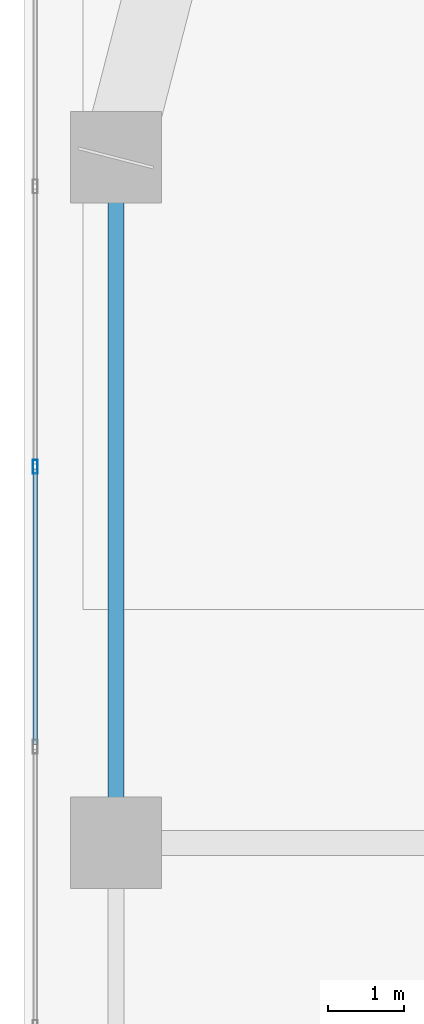
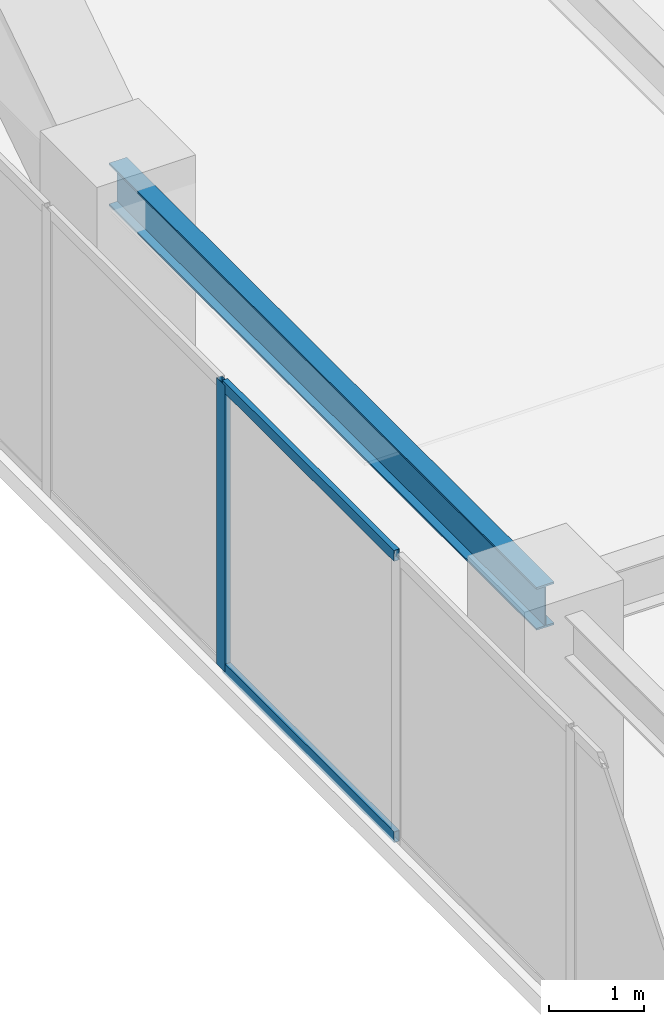
# One storey, part 7 of 30: 3 members, 1 beam, 1 element without a shape of its own.
"""IFC4 building model written with IfcOpenShell, lengths in metres."""

from ifc_helpers import new_model, si_unit, direction, frame, origin, origin_2d, place, context, subcontext, project, spatial, hollow_rectangle, i_section, extrude, material, layer, layer_set, material_profile, profile_set, type_object, element, aggregate, save


model = new_model("IFC4")

# Units and contexts
model_context = context("Model", 3, precision=1e-05, world=origin(), true_north=direction((0.0, 1.0)))
body_context = subcontext(model_context, "Body", "Model", "MODEL_VIEW")
ifc_project = project(units=[si_unit("LENGTHUNIT", "METRE"), si_unit("AREAUNIT", "SQUARE_METRE"), si_unit("VOLUMEUNIT", "CUBIC_METRE"), si_unit("PLANEANGLEUNIT", "RADIAN"), si_unit("MASSUNIT", "GRAM", prefix="KILO")], contexts=[model_context])

# Site, building, storey
site_placement = place(None, origin())
site = spatial("IfcSite", under=ifc_project, at=site_placement, CompositionType="ELEMENT")
building_placement = place(site_placement, origin())
building = spatial("IfcBuilding", under=site, at=building_placement, Name="Kiyonajd Concourse Tower", CompositionType="ELEMENT")
storey_placement = place(building_placement, frame((0.0, 0.0, 166.199951171875)))
storey = spatial("IfcBuildingStorey", under=building, at=storey_placement, Name="L42", CompositionType="ELEMENT", Elevation=166.199951171875)

# Beam
ifc_material_1 = material(Name="Steel ASTM A992 Grade 50", Category="steel")
ifc_material_profile_1 = material_profile(ifc_material_1, i_section(OverallWidth=0.214111328125, OverallDepth=0.549072265625, WebThickness=0.0146484375, FlangeThickness=0.023681640625, at=origin_2d()), Name="W530X138")
ifc_profile_set_1 = profile_set([ifc_material_profile_1], Name="Steel ASTM A992 Grade 50")
beam_type = type_object("IfcBeamType", Name="BM-SPAN-530A", PredefinedType="SPANDREL", material=ifc_profile_set_1)
beam_placement = place(storey_placement, frame((19.199951171875, 53.39990234375, 3.405517578125), z_axis=(0.0, -1.0, 0.0), x_axis=(1.0, 0.0, 0.0)))
element("IfcBeam", 1, at=beam_placement, inside=storey, type_object=beam_type, Name="L42 Perimeter Bundled Tube Spandrel", PredefinedType="SPANDREL", context=body_context, shape_type="SweptSolid", body=[
    extrude(i_section(OverallWidth=0.214111328125, OverallDepth=0.549072265625, WebThickness=0.0146484375, FlangeThickness=0.023681640625, at=origin_2d()), origin(), (0.0, 0.0, 1.0), 9.0),
])

# Curtain wall, members
ifc_material_2 = material(Name="Thermally Broken Anodised Aluminium", Category="aluminium")
ifc_layer = layer(ifc_material_2, 0.179931640625)
ifc_layer_set = layer_set([ifc_layer], Name="Thermally Broken Anodised Aluminium")
curtain_wall_type = type_object("IfcCurtainWallType", Name="CW-SYS-03", PredefinedType="NOTDEFINED", material=ifc_layer_set)
curtain_wall_placement = place(storey_placement, origin())
curtain_wall = element("IfcCurtainWall", 2, at=curtain_wall_placement, inside=storey, type_object=curtain_wall_type, Name="L42 Unitised Curtain Wall CW3", PredefinedType="NOTDEFINED")
ifc_material_profile_2 = material_profile(ifc_material_2, hollow_rectangle(XDim=0.06494140625, YDim=0.179931640625, WallThickness=0.00390625, at=origin_2d()), Name="MULL-65x180")
ifc_profile_set_2 = profile_set([ifc_material_profile_2], Name="Thermally Broken Anodised Aluminium")
member_type_1 = type_object("IfcMemberType", Name="MB-CW-MULL1", PredefinedType="MULLION", material=ifc_profile_set_2)
member_1_placement = place(storey_placement, frame((18.139892578125, 49.337646484375, 0.0), z_axis=(0.0, 0.0, 1.0), x_axis=(-1.0, 0.0, 0.0)))
member_1 = element("IfcMember", 3, at=member_1_placement, type_object=member_type_1, Name="CW3 mullion 5", PredefinedType="MULLION", context=body_context, shape_type="SweptSolid", body=[
    extrude(hollow_rectangle(XDim=0.06494140625, YDim=0.179931640625, WallThickness=0.00390625, at=origin_2d()), origin(), (0.0, 0.0, 1.0), 3.679931640625),
])
ifc_material_profile_3 = material_profile(ifc_material_2, hollow_rectangle(XDim=0.06494140625, YDim=0.139892578125, WallThickness=0.00390625, at=origin_2d()), Name="TRAN-65x140")
ifc_profile_set_3 = profile_set([ifc_material_profile_3], Name="Thermally Broken Anodised Aluminium")
member_type_2 = type_object("IfcMemberType", Name="MB-CW-TRAN1", PredefinedType="USERDEFINED", material=ifc_profile_set_3)
member_2_placement = place(storey_placement, frame((18.139892578125, 45.693359375, 0.032470703125), z_axis=(0.0, 1.0, 0.0), x_axis=(-1.0, 0.0, 0.0)))
member_2 = element("IfcMember", 4, at=member_2_placement, type_object=member_type_2, Name="CW3 transom 4.1", ObjectType="TRANSOM", PredefinedType="USERDEFINED", context=body_context, shape_type="SweptSolid", body=[
    extrude(hollow_rectangle(XDim=0.06494140625, YDim=0.139892578125, WallThickness=0.00390625, at=origin_2d()), origin(), (0.0, 0.0, 1.0), 3.61181640625),
])
member_3_placement = place(storey_placement, frame((18.139892578125, 45.693359375, 3.6474609375), z_axis=(0.0, 1.0, 0.0), x_axis=(-1.0, 0.0, 0.0)))
member_3 = element("IfcMember", 5, at=member_3_placement, type_object=member_type_2, Name="CW3 transom 4.2", ObjectType="TRANSOM", PredefinedType="USERDEFINED", context=body_context, shape_type="SweptSolid", body=[
    extrude(hollow_rectangle(XDim=0.06494140625, YDim=0.139892578125, WallThickness=0.00390625, at=origin_2d()), origin(), (0.0, 0.0, 1.0), 3.61181640625),
])
aggregate(curtain_wall, [member_1, member_2, member_3])

save(model, "model.ifc")
